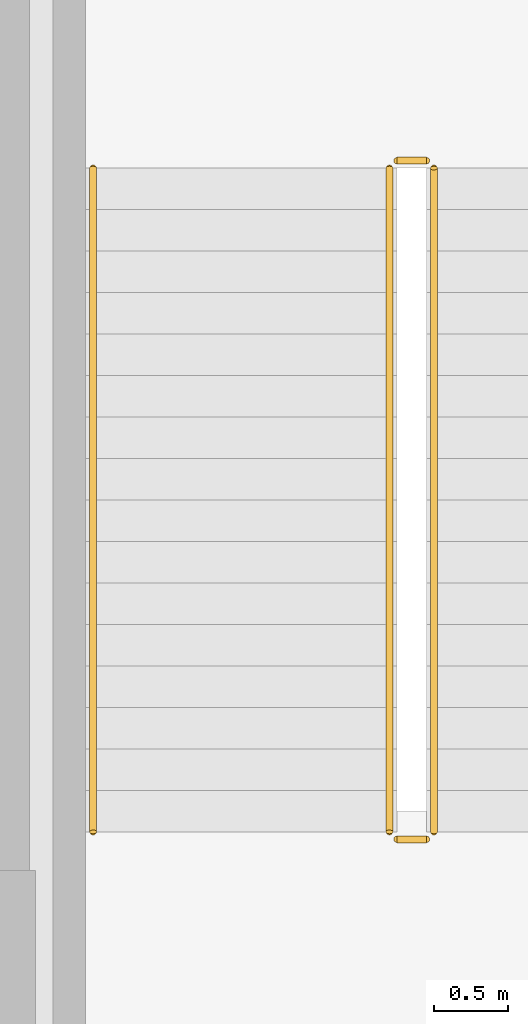
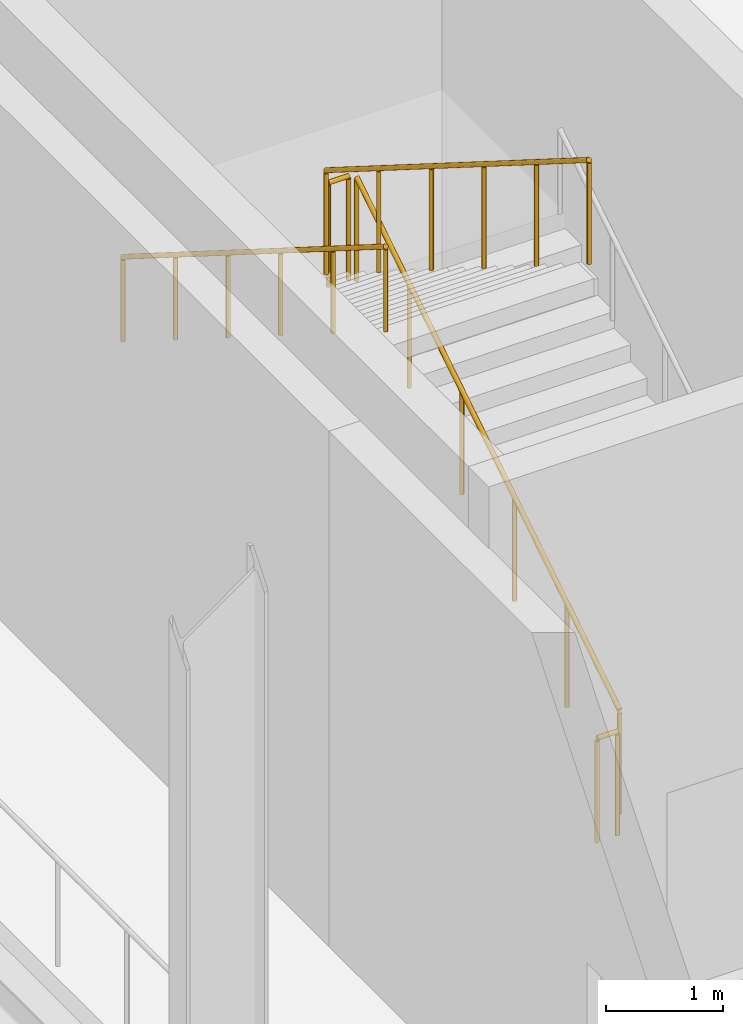
# One storey, part 66 of 84: 5 railings.
"""IFC4 building model written with IfcOpenShell, lengths in metres."""

from ifc_helpers import new_model, si_unit, direction, frame, origin, origin_2d, place, context, subcontext, project, spatial, circle, extrude, material, type_object, element, save


model = new_model("IFC4")

# Units and contexts
model_context = context("Model", 3, precision=1e-05, world=origin(), true_north=direction((0.0, 1.0)))
body_context = subcontext(model_context, "Body", "Model", "MODEL_VIEW")
ifc_project = project(units=[si_unit("LENGTHUNIT", "METRE"), si_unit("AREAUNIT", "SQUARE_METRE"), si_unit("VOLUMEUNIT", "CUBIC_METRE"), si_unit("PLANEANGLEUNIT", "RADIAN"), si_unit("MASSUNIT", "GRAM", prefix="KILO")], contexts=[model_context])

# Site, building, storey
site_placement = place(None, origin())
site = spatial("IfcSite", under=ifc_project, at=site_placement, CompositionType="ELEMENT")
building_placement = place(site_placement, origin())
building = spatial("IfcBuilding", under=site, at=building_placement, Name="Sefraquen Railside Congress Hotel", CompositionType="ELEMENT")
storey_placement = place(building_placement, origin())
storey = spatial("IfcBuildingStorey", under=building, at=storey_placement, Name="L00", CompositionType="ELEMENT", Elevation=0.0)

# Railings
ifc_material = material(Name="Patinated wrought architectural bronze", Category="metal")
railing_type_1 = type_object("IfcRailingType", Name="TRL-BAL-110", PredefinedType="BALUSTRADE", material=ifc_material)
railing_1_placement = place(storey_placement, frame((30.449951171875, 20.260009765625, 0.176513671875)))
element("IfcRailing", 1, at=railing_1_placement, inside=storey, type_object=railing_type_1, Name="L00 ST-C01 stair guard 1", PredefinedType="BALUSTRADE", context=body_context, shape_type="SweptSolid", body=[
    extrude(circle(Radius=0.02392578125, at=origin_2d()), frame((0.0, 0.0, 1.076171875), z_axis=(0.0, 0.845997938375, 0.533186166611), x_axis=(-1.0, 0.0, 0.0)), (0.0, 0.0, 1.0), 5.29541015625),
    extrude(circle(Radius=0.02099609375, at=origin_2d()), origin(), (0.0, 0.0, 1.0), 1.052001953125),
    extrude(circle(Radius=0.02099609375, at=origin_2d()), frame((0.0, 0.89599609375, 0.564697265625)), (0.0, 0.0, 1.0), 1.052001953125),
    extrude(circle(Radius=0.02099609375, at=origin_2d()), frame((0.0, 1.7919921875, 1.12939453125)), (0.0, 0.0, 1.0), 1.052001953125),
    extrude(circle(Radius=0.02099609375, at=origin_2d()), frame((0.0, 2.68798828125, 1.694091796875)), (0.0, 0.0, 1.0), 1.052001953125),
    extrude(circle(Radius=0.02099609375, at=origin_2d()), frame((0.0, 3.583984375, 2.2587890625)), (0.0, 0.0, 1.0), 1.052001953125),
    extrude(circle(Radius=0.02099609375, at=origin_2d()), frame((0.0, 4.47998046875, 2.823486328125)), (0.0, 0.0, 1.0), 1.052001953125),
])
railing_2_placement = place(storey_placement, frame((30.39990234375, 24.7900390625, 3.0)))
element("IfcRailing", 2, at=railing_2_placement, inside=storey, type_object=railing_type_1, Name="L00 ST-C01 stair guard 2", PredefinedType="BALUSTRADE", context=body_context, shape_type="SweptSolid", body=[
    extrude(circle(Radius=0.02392578125, at=origin_2d()), frame((0.0, 0.0, 1.076171875), z_axis=(-1.0, 0.0, 0.0), x_axis=(0.0, -1.0, 0.0)), (0.0, 0.0, 1.0), 0.199951171875),
    extrude(circle(Radius=0.02099609375, at=origin_2d()), origin(), (0.0, 0.0, 1.0), 1.052001953125),
    extrude(circle(Radius=0.02099609375, at=origin_2d()), frame((-0.199951171875, 0.0, 0.0)), (0.0, 0.0, 1.0), 1.052001953125),
])
railing_3_placement = place(storey_placement, frame((30.14990234375, 24.739990234375, 3.176513671875)))
element("IfcRailing", 3, at=railing_3_placement, inside=storey, type_object=railing_type_1, Name="L00 ST-C01 stair guard 3", PredefinedType="BALUSTRADE", context=body_context, shape_type="SweptSolid", body=[
    extrude(circle(Radius=0.02392578125, at=origin_2d()), frame((0.0, 0.0, 1.076171875), z_axis=(0.0, -0.845997938375, 0.533186166611), x_axis=(1.0, 0.0, 0.0)), (0.0, 0.0, 1.0), 5.29541015625),
    extrude(circle(Radius=0.02099609375, at=origin_2d()), origin(), (0.0, 0.0, 1.0), 1.052001953125),
    extrude(circle(Radius=0.02099609375, at=origin_2d()), frame((0.0, -0.89599609375, 0.564697265625)), (0.0, 0.0, 1.0), 1.052001953125),
    extrude(circle(Radius=0.02099609375, at=origin_2d()), frame((0.0, -1.7919921875, 1.12939453125)), (0.0, 0.0, 1.0), 1.052001953125),
    extrude(circle(Radius=0.02099609375, at=origin_2d()), frame((0.0, -2.68798828125, 1.694091796875)), (0.0, 0.0, 1.0), 1.052001953125),
    extrude(circle(Radius=0.02099609375, at=origin_2d()), frame((0.0, -3.583984375, 2.2587890625)), (0.0, 0.0, 1.0), 1.052001953125),
    extrude(circle(Radius=0.02099609375, at=origin_2d()), frame((0.0, -4.47998046875, 2.823486328125)), (0.0, 0.0, 1.0), 1.052001953125),
])
railing_4_placement = place(storey_placement, frame((30.39990234375, 20.2099609375, 0.0)))
element("IfcRailing", 4, at=railing_4_placement, inside=storey, type_object=railing_type_1, Name="L00 ST-C01 stair guard 4", PredefinedType="BALUSTRADE", context=body_context, shape_type="SweptSolid", body=[
    extrude(circle(Radius=0.02392578125, at=origin_2d()), frame((0.0, 0.0, 1.076171875), z_axis=(-1.0, 0.0, 0.0), x_axis=(0.0, -1.0, 0.0)), (0.0, 0.0, 1.0), 0.199951171875),
    extrude(circle(Radius=0.02099609375, at=origin_2d()), origin(), (0.0, 0.0, 1.0), 1.052001953125),
    extrude(circle(Radius=0.02099609375, at=origin_2d()), frame((-0.199951171875, 0.0, 0.0)), (0.0, 0.0, 1.0), 1.052001953125),
])
railing_type_2 = type_object("IfcRailingType", Name="TRL-HR-090", PredefinedType="HANDRAIL", material=ifc_material)
railing_5_placement = place(storey_placement, frame((28.14990234375, 24.739990234375, 3.176513671875)))
element("IfcRailing", 5, at=railing_5_placement, inside=storey, type_object=railing_type_2, Name="L00 ST-C01 stair handrail 2", PredefinedType="HANDRAIL", context=body_context, shape_type="SweptSolid", body=[
    extrude(circle(Radius=0.02392578125, at=origin_2d()), frame((0.0, 0.0, 0.8759765625), z_axis=(0.0, -0.845997938375, 0.533186166611), x_axis=(1.0, 0.0, 0.0)), (0.0, 0.0, 1.0), 5.29541015625),
    extrude(circle(Radius=0.02099609375, at=origin_2d()), origin(), (0.0, 0.0, 1.0), 0.851806640625),
    extrude(circle(Radius=0.02099609375, at=origin_2d()), frame((0.0, -0.89599609375, 0.564697265625)), (0.0, 0.0, 1.0), 0.851806640625),
    extrude(circle(Radius=0.02099609375, at=origin_2d()), frame((0.0, -1.7919921875, 1.12939453125)), (0.0, 0.0, 1.0), 0.851806640625),
    extrude(circle(Radius=0.02099609375, at=origin_2d()), frame((0.0, -2.68798828125, 1.694091796875)), (0.0, 0.0, 1.0), 0.851806640625),
    extrude(circle(Radius=0.02099609375, at=origin_2d()), frame((0.0, -3.583984375, 2.2587890625)), (0.0, 0.0, 1.0), 0.851806640625),
    extrude(circle(Radius=0.02099609375, at=origin_2d()), frame((0.0, -4.47998046875, 2.823486328125)), (0.0, 0.0, 1.0), 0.851806640625),
])

save(model, "model.ifc")
